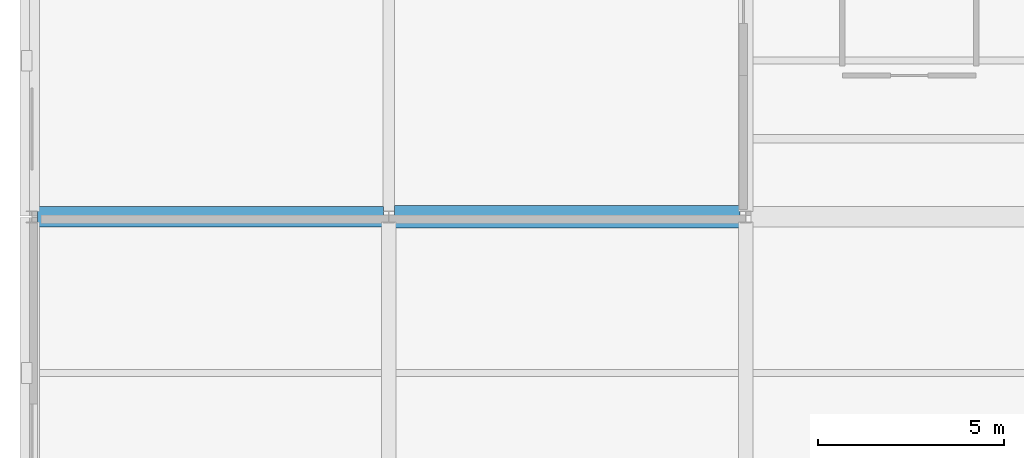
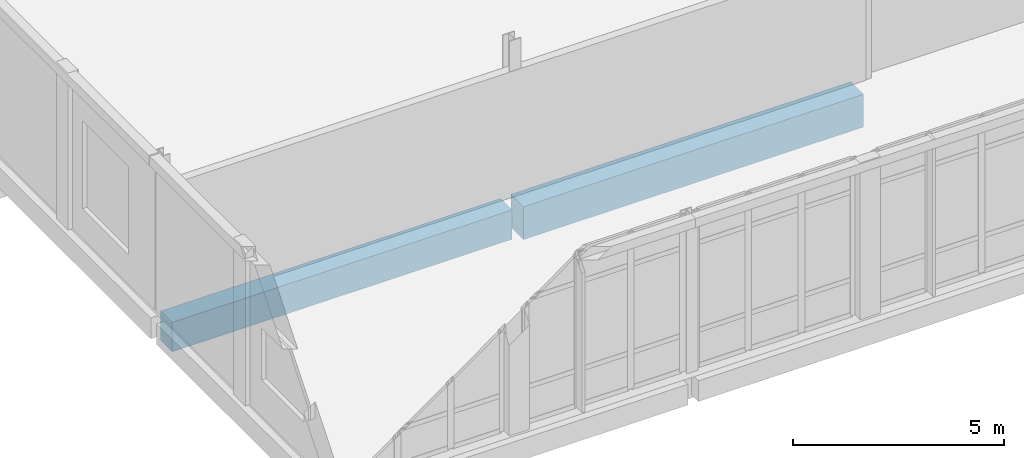
# One storey, part 43 of 88: 2 beams.
"""IFC4 building model written with IfcOpenShell, lengths in metres."""

from ifc_helpers import new_model, si_unit, direction, frame, origin, origin_2d, place, context, subcontext, project, spatial, rectangle, extrude, material, material_profile, profile_set, type_object, element, save


model = new_model("IFC4")

# Units and contexts
model_context = context("Model", 3, precision=1e-05, world=origin(), true_north=direction((0.0, 1.0)))
body_context = subcontext(model_context, "Body", "Model", "MODEL_VIEW")
ifc_project = project(units=[si_unit("LENGTHUNIT", "METRE"), si_unit("AREAUNIT", "SQUARE_METRE"), si_unit("VOLUMEUNIT", "CUBIC_METRE"), si_unit("PLANEANGLEUNIT", "RADIAN"), si_unit("MASSUNIT", "GRAM", prefix="KILO")], contexts=[model_context])

# Site, building, storey
site_placement = place(None, origin())
site = spatial("IfcSite", under=ifc_project, at=site_placement, CompositionType="ELEMENT")
building_placement = place(site_placement, origin())
building = spatial("IfcBuilding", under=site, at=building_placement, Name="Lornevale Opera House", CompositionType="ELEMENT")
storey_placement = place(building_placement, frame((0.0, 0.0, 10.199951171875)))
storey = spatial("IfcBuildingStorey", under=building, at=storey_placement, Name="L03", CompositionType="ELEMENT", Elevation=10.199951171875)

# Beams
ifc_material = material(Name="Concrete 35 MPa (CSA A23.1 N)", Category="concrete")
ifc_material_profile_1 = material_profile(ifc_material, rectangle(XDim=0.550048828125, YDim=0.85009765625, at=origin_2d()), Name="RC550x850")
ifc_profile_set_1 = profile_set([ifc_material_profile_1], Name="Concrete 35 MPa (CSA A23.1 N)")
beam_type_1 = type_object("IfcBeamType", Name="Concrete Primary Girder 550x850", PredefinedType="USERDEFINED", material=ifc_profile_set_1)
beam_1_placement = place(storey_placement, frame((0.14697265625, 75.60009765625, -0.704833984375), z_axis=(1.0, 0.0, 0.0), x_axis=(0.0, 1.0, 0.0)))
element("IfcBeam", 1, at=beam_1_placement, inside=storey, type_object=beam_type_1, Name="Concrete Primary Girder 550x850 2178", ObjectType="GIRDER", PredefinedType="USERDEFINED", context=body_context, shape_type="SweptSolid", body=[
    extrude(rectangle(XDim=0.550048828125, YDim=0.85009765625, at=origin_2d()), origin(), (0.0, 0.0, 1.0), 9.305908203125),
])
ifc_material_profile_2 = material_profile(ifc_material, rectangle(XDim=0.60009765625, YDim=0.949951171875, at=origin_2d()), Name="RC600x950")
ifc_profile_set_2 = profile_set([ifc_material_profile_2], Name="Concrete 35 MPa (CSA A23.1 N)")
beam_type_2 = type_object("IfcBeamType", Name="Concrete Primary Girder 600x950", PredefinedType="USERDEFINED", material=ifc_profile_set_2)
beam_2_placement = place(storey_placement, frame((9.7470703125, 75.60009765625, -0.7548828125), z_axis=(1.0, 0.0, 0.0), x_axis=(0.0, 1.0, 0.0)))
element("IfcBeam", 2, at=beam_2_placement, inside=storey, type_object=beam_type_2, Name="Concrete Primary Girder 600x950 2179", ObjectType="GIRDER", PredefinedType="USERDEFINED", context=body_context, shape_type="SweptSolid", body=[
    extrude(rectangle(XDim=0.60009765625, YDim=0.949951171875, at=origin_2d()), origin(), (0.0, 0.0, 1.0), 9.305908203125),
])

save(model, "model.ifc")
